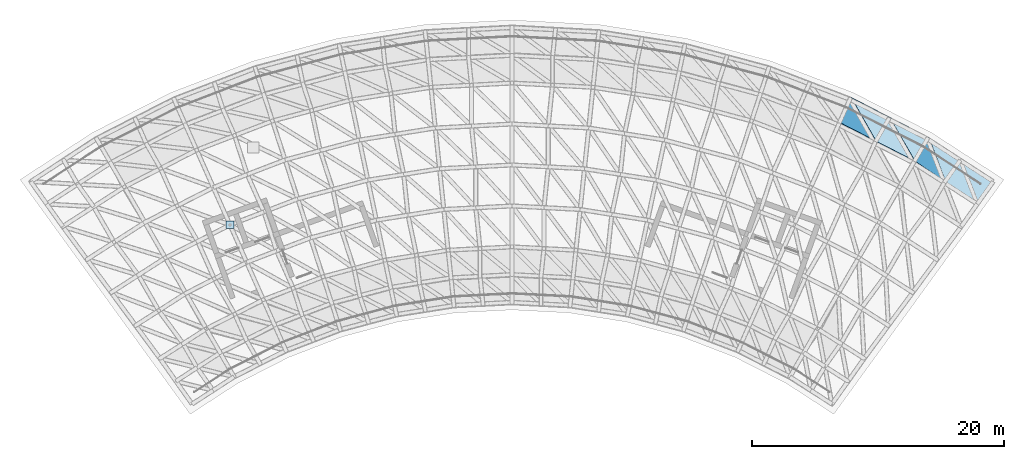
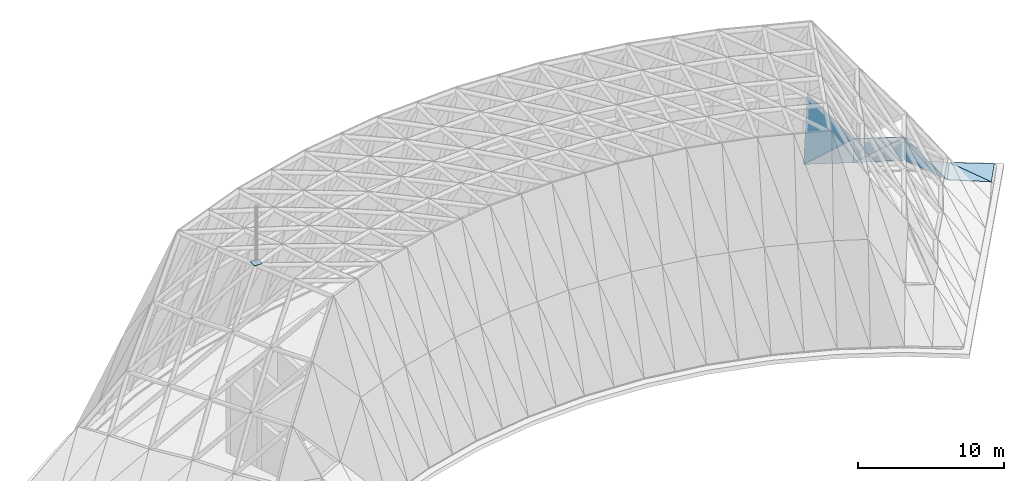
# One storey, part 19 of 20: 9 plates, 7 elements without a shape of their own.
"""IFC4 building model written with IfcOpenShell, lengths in metres."""

from ifc_helpers import new_model, si_unit, direction, frame, origin, place, context, subcontext, project, spatial, polyline, outline, extrude, material, layer, layer_set, type_object, element, aggregate, save


model = new_model("IFC4")

# Units and contexts
model_context = context("Model", 3, precision=1e-05, world=origin(), true_north=direction((0.0, 1.0)))
body_context = subcontext(model_context, "Body", "Model", "MODEL_VIEW")
ifc_project = project(units=[si_unit("LENGTHUNIT", "METRE"), si_unit("AREAUNIT", "SQUARE_METRE"), si_unit("VOLUMEUNIT", "CUBIC_METRE"), si_unit("PLANEANGLEUNIT", "RADIAN"), si_unit("MASSUNIT", "GRAM", prefix="KILO")], contexts=[model_context])

# Site, building, storey
site_placement = place(None, origin())
site = spatial("IfcSite", under=ifc_project, at=site_placement, CompositionType="ELEMENT")
building_placement = place(site_placement, origin())
building = spatial("IfcBuilding", under=site, at=building_placement, Name="Stone Belt Terrace Tower", CompositionType="ELEMENT")
storey_placement = place(building_placement, frame((0.0, 0.0, 337.39990234375)))
storey = spatial("IfcBuildingStorey", under=building, at=storey_placement, Name="RF", CompositionType="ELEMENT", Elevation=337.39990234375)

# Curtain wall, plate
ifc_material_1 = material(Name="Structural steel C345", Category="steel")
ifc_layer_1 = layer(ifc_material_1, 0.324951171875)
ifc_layer_set_1 = layer_set([ifc_layer_1], Name="CW-F glass point curtain wall")
curtain_wall_type = type_object("IfcCurtainWallType", Name="CW-F glass point curtain wall", PredefinedType="NOTDEFINED", material=ifc_layer_set_1)
curtain_wall_1_placement = place(storey_placement, origin())
curtain_wall_1 = element("IfcCurtainWall", 1, at=curtain_wall_1_placement, inside=storey, type_object=curtain_wall_type, Name="CW-F glass point panels 6", PredefinedType="NOTDEFINED")
ifc_material_2 = material(Name="Clear double glazed unit")
ifc_layer_2 = layer(ifc_material_2, 0.044921875)
ifc_layer_set_2 = layer_set([ifc_layer_2], Name="Glass point facet panel 45")
plate_type_1 = type_object("IfcPlateType", Name="Glass point facet panel 45", PredefinedType="CURTAIN_PANEL", material=ifc_layer_set_2)
plate_1_placement = place(storey_placement, frame((26.907958984375, 60.373291015625, 0.240478515625), z_axis=(0.38728511045, 0.757723973874, 0.52522816246), x_axis=(0.887888334459, -0.459973213696, 0.008885280747)))
plate_1 = element("IfcPlate", 2, at=plate_1_placement, type_object=plate_type_1, Name="GLASS POINT FACET 321", PredefinedType="CURTAIN_PANEL", context=body_context, shape_type="SweptSolid", body=[
    extrude(outline(polyline([(0.0, 0.0), (3.4346217069449367, 1.0755285551056204e-16), (3.4002842444801327, -4.156901814922541), (0.0, 0.0)])), origin(), (0.0, 0.0, -1.0), 0.044921875),
])
aggregate(curtain_wall_1, [plate_1])

curtain_wall_2_placement = place(storey_placement, origin())
curtain_wall_2 = element("IfcCurtainWall", 3, at=curtain_wall_2_placement, inside=storey, type_object=curtain_wall_type, Name="CW-F glass point panels 13", PredefinedType="NOTDEFINED")
plate_2_placement = place(storey_placement, frame((33.080322265625, 57.18505859375, 0.36962890625), z_axis=(0.374066416548, 0.758951811763, 0.532978858335), x_axis=(-0.265865565869, -0.462820684621, 0.845643255027)))
plate_2 = element("IfcPlate", 4, at=plate_2_placement, type_object=plate_type_1, Name="GLASS POINT FACET 322", PredefinedType="CURTAIN_PANEL", context=body_context, shape_type="SweptSolid", body=[
    extrude(outline(polyline([(0.0, 0.0), (4.095555526118544, 2.498001805406602e-16), (0.0024879489897429857, -3.515689443640815), (0.0, 0.0)])), origin(), (0.0, 0.0, -1.0), 0.044921875),
])
aggregate(curtain_wall_2, [plate_2])

curtain_wall_3_placement = place(storey_placement, origin())
curtain_wall_3 = element("IfcCurtainWall", 5, at=curtain_wall_3_placement, inside=storey, type_object=curtain_wall_type, Name="CW-F glass point panels 27", PredefinedType="NOTDEFINED")
plate_3_placement = place(storey_placement, frame((29.956787109375, 58.794189453125, 0.2705078125), z_axis=(0.386369777912, 0.758202701165, 0.525211441862), x_axis=(0.37722835195, -0.649527766851, 0.660160927785)))
plate_3 = element("IfcPlate", 6, at=plate_3_placement, type_object=plate_type_1, Name="GLASS POINT FACET 324", PredefinedType="CURTAIN_PANEL", context=body_context, shape_type="SweptSolid", body=[
    extrude(outline(polyline([(0.0, 0.0), (5.395671826109377, 0.0), (3.1735925044595215, -2.6850181332484846), (0.0, 0.0)])), origin(), (0.0, 0.0, -1.0), 0.044921875),
])

curtain_wall_4_placement = place(storey_placement, origin())
curtain_wall_4 = element("IfcCurtainWall", 7, at=curtain_wall_4_placement, inside=storey, type_object=curtain_wall_type, Name="CW-F glass point panels 33", PredefinedType="NOTDEFINED")
plate_4_placement = place(storey_placement, frame((26.908447265625, 60.373046875, 0.239990234375), z_axis=(0.69879914821, 0.665721175434, 0.261715622458), x_axis=(0.369997419225, -0.64951869391, 0.664249483273)))
plate_4 = element("IfcPlate", 8, at=plate_4_placement, type_object=plate_type_1, Name="GLASS POINT FACET 325", PredefinedType="CURTAIN_PANEL", context=body_context, shape_type="SweptSolid", body=[
    extrude(outline(polyline([(0.0, 0.0), (5.369811525749043, 0.0), (5.948608768901756, -5.043642956689318), (0.0, 0.0)])), origin(), (0.0, 0.0, -1.0), 0.044921875),
])
aggregate(curtain_wall_4, [plate_4])

curtain_wall_5_placement = place(storey_placement, origin())
curtain_wall_5 = element("IfcCurtainWall", 9, at=curtain_wall_5_placement, inside=storey, type_object=curtain_wall_type, Name="CW-F glass point panels 7", PredefinedType="NOTDEFINED")
plate_5_placement = place(storey_placement, frame((33.078857421875, 57.186279296875, 0.3701171875), z_axis=(0.0, 0.0, 1.0), x_axis=(0.808131182167, -0.589002540241, 0.0)))
plate_5 = element("IfcPlate", 10, at=plate_5_placement, type_object=plate_type_1, Name="GLASS POINT FACET 353", PredefinedType="CURTAIN_PANEL", context=body_context, shape_type="SweptSolid", body=[
    extrude(outline(polyline([(0.0, 0.0), (3.0739203166431364, 0.0), (3.1699851153691405, -2.0770452229022824), (0.0, 0.0)])), origin(), (0.0, 0.0, -1.0), 0.044921875),
])
aggregate(curtain_wall_5, [plate_5])

curtain_wall_6_placement = place(storey_placement, origin())
curtain_wall_6 = element("IfcCurtainWall", 11, at=curtain_wall_6_placement, inside=storey, type_object=curtain_wall_type, Name="CW-F glass point panels 14", PredefinedType="NOTDEFINED")
plate_6_placement = place(storey_placement, frame((38.175537109375, 53.680908203125, 0.3701171875), z_axis=(0.0, 0.0, 1.0), x_axis=(-0.579568276523, -0.814923685291, 0.0)))
plate_6 = element("IfcPlate", 12, at=plate_6_placement, type_object=plate_type_1, Name="GLASS POINT FACET 354", PredefinedType="CURTAIN_PANEL", context=body_context, shape_type="SweptSolid", body=[
    extrude(outline(polyline([(0.0, 0.0), (2.1866862554612867, 0.0), (0.1331926726032604, -3.1132529469784807), (0.0, 0.0)])), origin(), (0.0, 0.0, -1.0), 0.044921875),
])
aggregate(curtain_wall_6, [plate_6])

# Plate
plate_7_placement = place(storey_placement, frame((35.562255859375, 55.376953125, 0.3701171875), z_axis=(0.0, 0.0, 1.0), x_axis=(0.361131827007, -0.93251477389, 0.0)))
plate_7 = element("IfcPlate", 13, at=plate_7_placement, type_object=plate_type_1, Name="GLASS POINT FACET 356", PredefinedType="CURTAIN_PANEL", context=body_context, shape_type="SweptSolid", body=[
    extrude(outline(polyline([(0.0, 0.0), (3.729728944929321, -2.220446049250313e-16), (1.2042458090543926, -1.6950331368178007), (0.0, 0.0)])), origin(), (0.0, 0.0, -1.0), 0.044921875),
])

aggregate(curtain_wall_3, [plate_3, plate_7])

# Curtain wall, plate
curtain_wall_7_placement = place(storey_placement, origin())
curtain_wall_7 = element("IfcCurtainWall", 14, at=curtain_wall_7_placement, inside=storey, type_object=curtain_wall_type, Name="CW-F glass point panels 34", PredefinedType="NOTDEFINED")
plate_8_placement = place(storey_placement, frame((33.07958984375, 57.185791015625, 0.36962890625), z_axis=(0.840995253572, 0.317480197316, 0.43810193766), x_axis=(0.353177508585, -0.935556330442, 0.0)))
plate_8 = element("IfcPlate", 15, at=plate_8_placement, type_object=plate_type_1, Name="GLASS POINT FACET 357", PredefinedType="CURTAIN_PANEL", context=body_context, shape_type="SweptSolid", body=[
    extrude(outline(polyline([(0.0, 0.0), (3.7888447964449745, -1.1102230246251565e-16), (1.3888771579020749, -3.8527994619433867), (0.0, 0.0)])), origin(), (0.0, 0.0, -1.0), 0.044921875),
])
aggregate(curtain_wall_7, [plate_8])

# Plate
ifc_layer_3 = layer(ifc_material_1, 0.0400390625)
ifc_layer_set_3 = layer_set([ifc_layer_3], Name="Spire foot plate 600 x 40")
plate_type_2 = type_object("IfcPlateType", Name="Spire foot plate 600 x 40", PredefinedType="SHEET", material=ifc_layer_set_3)
plate_9_placement = place(storey_placement, frame((0.0, 0.0, 15.3251953125)))
element("IfcPlate", 16, at=plate_9_placement, inside=storey, type_object=plate_type_2, Name="SPIRE foot plate", PredefinedType="SHEET", context=body_context, shape_type="SweptSolid", body=[
    extrude(outline(polyline([(-22.67041015625, 49.945068359375), (-22.070556640625, 49.945068359375), (-22.070556640625, 50.544921875), (-22.67041015625, 50.544921875), (-22.67041015625, 49.945068359375)])), origin(), (0.0, 0.0, 1.0), 0.039794921875),
])

save(model, "model.ifc")
